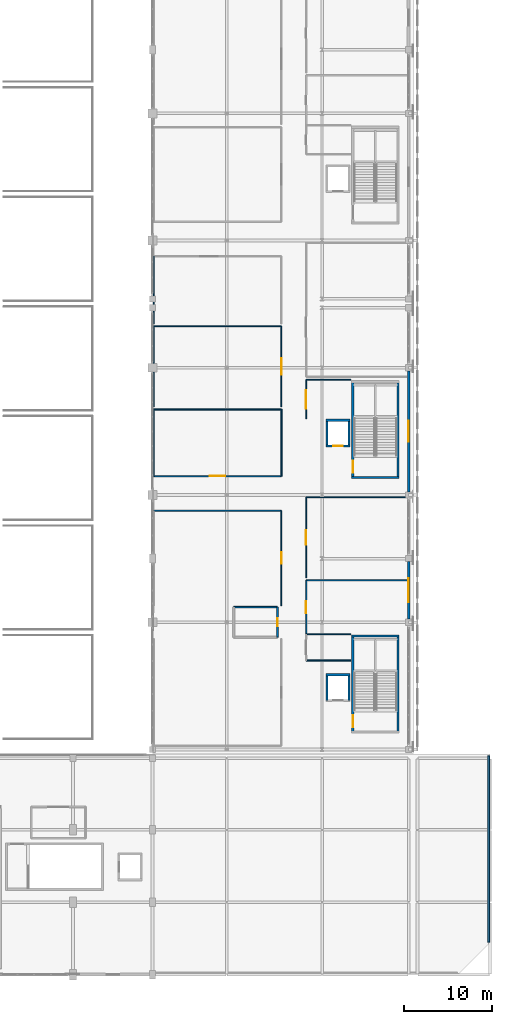
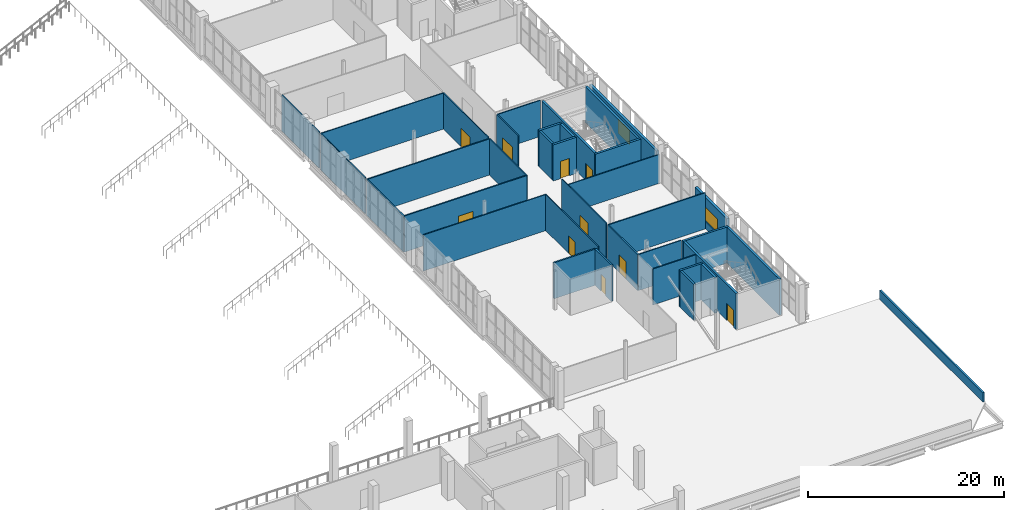
# One storey, part 70 of 104: 36 walls, 10 doors, 2 windows, 12 openings.
"""IFC4 building model written with IfcOpenShell, lengths in metres."""

from ifc_helpers import new_model, si_unit, direction, frame, frame_2d, origin, place, context, subcontext, project, spatial, rectangle, extrude, material, layer, layer_set, type_object, element, fill, save


model = new_model("IFC4")

# Units and contexts
model_context = context("Model", 3, precision=1e-05, world=origin(), true_north=direction((0.0, 1.0)))
body_context = subcontext(model_context, "Body", "Model", "MODEL_VIEW")
ifc_project = project(units=[si_unit("LENGTHUNIT", "METRE"), si_unit("AREAUNIT", "SQUARE_METRE"), si_unit("VOLUMEUNIT", "CUBIC_METRE"), si_unit("PLANEANGLEUNIT", "RADIAN"), si_unit("MASSUNIT", "GRAM", prefix="KILO")], contexts=[model_context])

# Site, building, storey
site_placement = place(None, origin())
site = spatial("IfcSite", under=ifc_project, at=site_placement, CompositionType="ELEMENT")
building_placement = place(site_placement, origin())
building = spatial("IfcBuilding", under=site, at=building_placement, Name="Koshinbarg Plaza Stadium", CompositionType="ELEMENT")
storey_placement = place(building_placement, frame((0.0, 0.0, 19.800048828125)))
storey = spatial("IfcBuildingStorey", under=building, at=storey_placement, Name="L04", CompositionType="ELEMENT", Elevation=19.800048828125)

# Wall
ifc_material_1 = material(Name="Concrete C40/50", Category="concrete")
ifc_layer_1 = layer(ifc_material_1, 0.25)
ifc_layer_set_1 = layer_set([ifc_layer_1], Name="Concrete C40/50")
wall_type_1 = type_object("IfcWallType", Name="WL-CORE-250", PredefinedType="SHEAR", material=ifc_layer_set_1)
wall_1_placement = place(storey_placement, frame((217.320068359375, 38.324951171875, 0.0), z_axis=(0.0, 0.0, 1.0), x_axis=(-1.0, 0.0, 0.0)))
element("IfcWall", 1, at=wall_1_placement, inside=storey, type_object=wall_type_1, Name="L04 core stair shear wall C07-far IWL-L04-0179", PredefinedType="SHEAR", context=body_context, shape_type="SweptSolid", body=[
    extrude(rectangle(XDim=5.3701171875, YDim=0.25, at=frame_2d((2.68505859375, 0.0))), origin(), (0.0, 0.0, 1.0), 4.5),
])

# Wall, opening, door
wall_2_placement = place(storey_placement, frame((212.074951171875, 27.47509765625, 0.0), z_axis=(0.0, 0.0, 1.0), x_axis=(0.0, 1.0, 0.0)))
wall_2 = element("IfcWall", 2, at=wall_2_placement, inside=storey, type_object=wall_type_1, Name="L04 core stair shear wall C07-left IWL-L04-0180", PredefinedType="SHEAR", context=body_context, shape_type="SweptSolid", body=[
    extrude(rectangle(XDim=10.849853515625, YDim=0.25, at=frame_2d((5.4248046875, 0.0))), origin(), (0.0, 0.0, 1.0), 4.5),
])
opening_1_placement = place(wall_2_placement, frame((0.52001953125, 0.0, 0.0)))
opening_1 = element("IfcOpeningElement", 3, at=opening_1_placement, cuts=wall_2, Name="Opening D-0107", PredefinedType="OPENING", context=body_context, shape_type="SweptSolid", body=[
    extrude(rectangle(XDim=1.39990234375, YDim=2.14990234375, at=frame_2d((0.699951171875, 1.074951171875))), frame((0.0, 0.135009765625, 0.0), z_axis=(0.0, -1.0, 0.0), x_axis=(1.0, 0.0, 0.0)), (0.0, 0.0, 1.0), 0.27001953125),
])
ifc_material_2 = material(Name="Painted galvanized steel fire door", Category="steel")
door_type_1 = type_object("IfcDoorType", Name="DR-STAIR-1400", OperationType="NOTDEFINED", PredefinedType="DOOR", material=ifc_material_2)
door_1_placement = place(opening_1_placement, frame((1.39990234375, 0.0, 0.0), z_axis=(0.0, 0.0, 1.0), x_axis=(-1.0, 0.0, 0.0)))
door_1 = element("IfcDoor", 4, at=door_1_placement, inside=storey, type_object=door_type_1, Name="L04 exit stair door C07", OperationType="SINGLE_SWING_RIGHT", OverallHeight=2.14990234375, OverallWidth=1.39990234375, PredefinedType="DOOR", context=body_context, shape_type="SweptSolid", body=[
    extrude(rectangle(XDim=1.39990234375, YDim=2.14990234375, at=frame_2d((0.699951171875, 1.074951171875))), frame((0.0, 0.02490234375, 0.0), z_axis=(0.0, -1.0, 0.0), x_axis=(1.0, 0.0, 0.0)), (0.0, 0.0, 1.0), 0.050048828125),
])
fill(opening_1, door_1)

# Walls
wall_3_placement = place(storey_placement, frame((217.195068359375, 27.47509765625, 0.0), z_axis=(0.0, 0.0, 1.0), x_axis=(0.0, 1.0, 0.0)))
element("IfcWall", 5, at=wall_3_placement, inside=storey, type_object=wall_type_1, Name="L04 core stair shear wall C07-right IWL-L04-0181", PredefinedType="SHEAR", context=body_context, shape_type="SweptSolid", body=[
    extrude(rectangle(XDim=10.849853515625, YDim=0.25, at=frame_2d((5.4248046875, 0.0))), origin(), (0.0, 0.0, 1.0), 4.5),
])
wall_4_placement = place(storey_placement, frame((211.949951171875, 56.27490234375, 0.0), z_axis=(0.0, 0.0, 1.0), x_axis=(1.0, 0.0, 0.0)))
element("IfcWall", 6, at=wall_4_placement, inside=storey, type_object=wall_type_1, Name="L04 core stair shear wall C08-near IWL-L04-0202", PredefinedType="SHEAR", context=body_context, shape_type="SweptSolid", body=[
    extrude(rectangle(XDim=5.3701171875, YDim=0.25, at=frame_2d((2.68505859375, 0.0))), origin(), (0.0, 0.0, 1.0), 4.5),
])

# Wall, opening, door
wall_5_placement = place(storey_placement, frame((212.074951171875, 56.27490234375, 0.0), z_axis=(0.0, 0.0, 1.0), x_axis=(0.0, 1.0, 0.0)))
wall_5 = element("IfcWall", 7, at=wall_5_placement, inside=storey, type_object=wall_type_1, Name="L04 core stair shear wall C08-left IWL-L04-0204", PredefinedType="SHEAR", context=body_context, shape_type="SweptSolid", body=[
    extrude(rectangle(XDim=10.85009765625, YDim=0.25, at=frame_2d((5.425048828125, 0.0))), origin(), (0.0, 0.0, 1.0), 4.5),
])
opening_2_placement = place(wall_5_placement, frame((0.52001953125, 0.0, 0.0)))
opening_2 = element("IfcOpeningElement", 8, at=opening_2_placement, cuts=wall_5, Name="Opening D-0113", PredefinedType="OPENING", context=body_context, shape_type="SweptSolid", body=[
    extrude(rectangle(XDim=1.39990234375, YDim=2.14990234375, at=frame_2d((0.699951171875, 1.074951171875))), frame((0.0, 0.135009765625, 0.0), z_axis=(0.0, -1.0, 0.0), x_axis=(1.0, 0.0, 0.0)), (0.0, 0.0, 1.0), 0.27001953125),
])
door_2_placement = place(opening_2_placement, frame((1.39990234375, 0.0, 0.0), z_axis=(0.0, 0.0, 1.0), x_axis=(-1.0, 0.0, 0.0)))
door_2 = element("IfcDoor", 9, at=door_2_placement, inside=storey, type_object=door_type_1, Name="L04 exit stair door C08", OperationType="SINGLE_SWING_LEFT", OverallHeight=2.14990234375, OverallWidth=1.39990234375, PredefinedType="DOOR", context=body_context, shape_type="SweptSolid", body=[
    extrude(rectangle(XDim=1.39990234375, YDim=2.14990234375, at=frame_2d((0.699951171875, 1.074951171875))), frame((0.0, 0.02490234375, 0.0), z_axis=(0.0, -1.0, 0.0), x_axis=(1.0, 0.0, 0.0)), (0.0, 0.0, 1.0), 0.050048828125),
])
fill(opening_2, door_2)

# Walls
wall_6_placement = place(storey_placement, frame((217.195068359375, 56.27490234375, 0.0), z_axis=(0.0, 0.0, 1.0), x_axis=(0.0, 1.0, 0.0)))
element("IfcWall", 10, at=wall_6_placement, inside=storey, type_object=wall_type_1, Name="L04 core stair shear wall C08-right IWL-L04-0205", PredefinedType="SHEAR", context=body_context, shape_type="SweptSolid", body=[
    extrude(rectangle(XDim=10.85009765625, YDim=0.25, at=frame_2d((5.425048828125, 0.0))), origin(), (0.0, 0.0, 1.0), 4.5),
])
wall_7_placement = place(storey_placement, frame((211.77490234375, 33.949951171875, 0.0), z_axis=(0.0, 0.0, 1.0), x_axis=(-1.0, 0.0, 0.0)))
element("IfcWall", 11, at=wall_7_placement, inside=storey, type_object=wall_type_1, Name="L04 lift shaft shear wall LP03-N IWL-L04-0879", PredefinedType="SHEAR", context=body_context, shape_type="SweptSolid", body=[
    extrude(rectangle(XDim=2.75, YDim=0.25, at=frame_2d((1.375, 0.0))), origin(), (0.0, 0.0, 1.0), 4.5),
])
for number, where, z_axis, x_axis, name in (
    (12, (209.14990234375, 33.949951171875, 0.0), (0.0, 0.0, 1.0), (0.0, -1.0, 0.0), "L04 lift shaft shear wall LP03-W IWL-L04-0880"),
    (13, (211.64990234375, 31.050048828125, 0.0), (0.0, 0.0, 1.0), (0.0, 1.0, 0.0), "L04 lift shaft shear wall LP03-E IWL-L04-0881"),
):
    element("IfcWall", number, at=place(storey_placement, frame(where, z_axis=z_axis, x_axis=x_axis)), inside=storey, type_object=wall_type_1, Name=name, PredefinedType="SHEAR", context=body_context, shape_type="SweptSolid", body=[
        extrude(rectangle(XDim=2.89990234375, YDim=0.25, at=frame_2d((1.449951171875, 0.0))), origin(), (0.0, 0.0, 1.0), 4.5),
    ])

# Wall, opening, door
wall_8_placement = place(storey_placement, frame((209.02490234375, 59.85009765625, 0.0), z_axis=(0.0, 0.0, 1.0), x_axis=(1.0, 0.0, 0.0)))
wall_8 = element("IfcWall", 14, at=wall_8_placement, inside=storey, type_object=wall_type_1, Name="L04 lift shaft shear wall LP04-S IWL-L04-0902", PredefinedType="SHEAR", context=body_context, shape_type="SweptSolid", body=[
    extrude(rectangle(XDim=2.75, YDim=0.25, at=frame_2d((1.375, 0.0))), origin(), (0.0, 0.0, 1.0), 4.5),
])
opening_3_placement = place(wall_8_placement, frame((0.85009765625, 0.0, 0.0)))
opening_3 = element("IfcOpeningElement", 15, at=opening_3_placement, cuts=wall_8, Name="Opening D-0295", PredefinedType="OPENING", context=body_context, shape_type="SweptSolid", body=[
    extrude(rectangle(XDim=1.050048828125, YDim=2.14990234375, at=frame_2d((0.52490234375, 1.074951171875))), frame((0.0, 0.135009765625, 0.0), z_axis=(0.0, -1.0, 0.0), x_axis=(1.0, 0.0, 0.0)), (0.0, 0.0, 1.0), 0.27001953125),
])
ifc_material_3 = material(Name="Brushed stainless steel sliding lift landing door", Category="steel")
door_type_2 = type_object("IfcDoorType", Name="DR-LIFT-1050", OperationType="NOTDEFINED", PredefinedType="DOOR", material=ifc_material_3)
door_3_placement = place(opening_3_placement, origin())
door_3 = element("IfcDoor", 16, at=door_3_placement, inside=storey, type_object=door_type_2, Name="L04 lift landing door LP04", OperationType="SLIDING_TO_LEFT", OverallHeight=2.14990234375, OverallWidth=1.050048828125, PredefinedType="DOOR", context=body_context, shape_type="SweptSolid", body=[
    extrude(rectangle(XDim=1.050048828125, YDim=2.14990234375, at=frame_2d((0.52490234375, 1.074951171875))), frame((0.0, 0.02490234375, 0.0), z_axis=(0.0, -1.0, 0.0), x_axis=(1.0, 0.0, 0.0)), (0.0, 0.0, 1.0), 0.050048828125),
])
fill(opening_3, door_3)

# Walls
wall_9_placement = place(storey_placement, frame((211.77490234375, 62.75, 0.0), z_axis=(0.0, 0.0, 1.0), x_axis=(-1.0, 0.0, 0.0)))
element("IfcWall", 17, at=wall_9_placement, inside=storey, type_object=wall_type_1, Name="L04 lift shaft shear wall LP04-N IWL-L04-0903", PredefinedType="SHEAR", context=body_context, shape_type="SweptSolid", body=[
    extrude(rectangle(XDim=2.75, YDim=0.25, at=frame_2d((1.375, 0.0))), origin(), (0.0, 0.0, 1.0), 4.5),
])
for number, where, z_axis, x_axis, name in (
    (18, (209.14990234375, 62.75, 0.0), (0.0, 0.0, 1.0), (0.0, -1.0, 0.0), "L04 lift shaft shear wall LP04-W IWL-L04-0904"),
    (19, (211.64990234375, 59.85009765625, 0.0), (0.0, 0.0, 1.0), (0.0, 1.0, 0.0), "L04 lift shaft shear wall LP04-E IWL-L04-0905"),
):
    element("IfcWall", number, at=place(storey_placement, frame(where, z_axis=z_axis, x_axis=x_axis)), inside=storey, type_object=wall_type_1, Name=name, PredefinedType="SHEAR", context=body_context, shape_type="SweptSolid", body=[
        extrude(rectangle(XDim=2.89990234375, YDim=0.25, at=frame_2d((1.449951171875, 0.0))), origin(), (0.0, 0.0, 1.0), 4.5),
    ])

# Wall, opening, window
ifc_material_4 = material(Name="Off-white mineral plaster insulated wall", Category="masonry")
ifc_layer_2 = layer(ifc_material_4, 0.300048828125)
ifc_layer_set_2 = layer_set([ifc_layer_2], Name="Off-white mineral plaster insulated wall")
wall_type_2 = type_object("IfcWallType", Name="WL-EXT-300", PredefinedType="SOLIDWALL", material=ifc_layer_set_2)
wall_10_placement = place(storey_placement, frame((218.39990234375, 68.35498046875, 0.0), z_axis=(0.0, 0.0, 1.0), x_axis=(0.0, -1.0, 0.0)))
wall_10 = element("IfcWall", 20, at=wall_10_placement, inside=storey, type_object=wall_type_2, Name="L04 exterior envelope wall EWL-L04-0213", PredefinedType="SOLIDWALL", context=body_context, shape_type="SweptSolid", body=[
    extrude(rectangle(XDim=13.7099609375, YDim=0.300048828125, at=frame_2d((6.85498046875, 0.0))), origin(), (0.0, 0.0, 1.0), 3.579833984375),
])
opening_4_placement = place(wall_10_placement, frame((5.655029296875, 0.0, 0.89990234375)))
opening_4 = element("IfcOpeningElement", 21, at=opening_4_placement, cuts=wall_10, Name="Opening WN11", PredefinedType="OPENING", context=body_context, shape_type="SweptSolid", body=[
    extrude(rectangle(XDim=2.39990234375, YDim=1.800048828125, at=frame_2d((1.199951171875, 0.89990234375))), frame((0.0, 0.159912109375, 0.0), z_axis=(0.0, -1.0, 0.0), x_axis=(1.0, 0.0, 0.0)), (0.0, 0.0, 1.0), 0.320068359375),
])
ifc_material_5 = material(Name="Solar-control double glazing in thermally broken aluminium frame", Category="aluminium")
window_type_1 = type_object("IfcWindowType", Name="WN-FAC-11", PartitioningType="DOUBLE_PANEL_VERTICAL", PredefinedType="WINDOW", material=ifc_material_5)
window_1_placement = place(opening_4_placement, origin())
window_1 = element("IfcWindow", 22, at=window_1_placement, inside=storey, type_object=window_type_1, Name="L04 facade window 0145", OverallHeight=1.800048828125, OverallWidth=2.39990234375, PartitioningType="SINGLE_PANEL", PredefinedType="WINDOW", context=body_context, shape_type="SweptSolid", body=[
    extrude(rectangle(XDim=2.39990234375, YDim=1.800048828125, at=frame_2d((1.199951171875, 0.89990234375))), frame((0.0, 0.030029296875, 0.0), z_axis=(0.0, -1.0, 0.0), x_axis=(1.0, 0.0, 0.0)), (0.0, 0.0, 1.0), 0.06005859375),
])
fill(opening_4, window_1)

ifc_material_6 = material(Name="Ultramarine-blue pigmented mineral plaster facade wall", Category="masonry")
ifc_layer_3 = layer(ifc_material_6, 0.320068359375)
ifc_layer_set_3 = layer_set([ifc_layer_3], Name="Ultramarine-blue pigmented mineral plaster facade wall")
wall_type_3 = type_object("IfcWallType", Name="WL-EXT-320", PredefinedType="SOLIDWALL", material=ifc_layer_set_3)
wall_11_placement = place(storey_placement, frame((218.39990234375, 46.7548828125, 0.0), z_axis=(0.0, 0.0, 1.0), x_axis=(0.0, -1.0, 0.0)))
wall_11 = element("IfcWall", 23, at=wall_11_placement, inside=storey, type_object=wall_type_3, Name="L04 exterior envelope wall EWL-L04-0214", PredefinedType="SOLIDWALL", context=body_context, shape_type="SweptSolid", body=[
    extrude(rectangle(XDim=6.509765625, YDim=0.320068359375, at=frame_2d((3.2548828125, 0.0))), origin(), (0.0, 0.0, 1.0), 3.8798828125),
])
opening_5_placement = place(wall_11_placement, frame((1.905029296875, 0.0, 0.89990234375)))
opening_5 = element("IfcOpeningElement", 24, at=opening_5_placement, cuts=wall_11, Name="Opening WN12", PredefinedType="OPENING", context=body_context, shape_type="SweptSolid", body=[
    extrude(rectangle(XDim=2.699951171875, YDim=1.800048828125, at=frame_2d((1.35009765625, 0.89990234375))), frame((0.0, 0.169921875, 0.0), z_axis=(0.0, -1.0, 0.0), x_axis=(1.0, 0.0, 0.0)), (0.0, 0.0, 1.0), 0.340087890625),
])
window_type_2 = type_object("IfcWindowType", Name="WN-FAC-12", PartitioningType="DOUBLE_PANEL_VERTICAL", PredefinedType="WINDOW", material=ifc_material_5)
window_2_placement = place(opening_5_placement, origin())
window_2 = element("IfcWindow", 25, at=window_2_placement, inside=storey, type_object=window_type_2, Name="L04 facade window 0146", OverallHeight=1.800048828125, OverallWidth=2.699951171875, PartitioningType="SINGLE_PANEL", PredefinedType="WINDOW", context=body_context, shape_type="SweptSolid", body=[
    extrude(rectangle(XDim=2.699951171875, YDim=1.800048828125, at=frame_2d((1.35009765625, 0.89990234375))), frame((0.0, 0.030029296875, 0.0), z_axis=(0.0, -1.0, 0.0), x_axis=(1.0, 0.0, 0.0)), (0.0, 0.0, 1.0), 0.06005859375),
])
fill(opening_5, window_2)

# Wall
ifc_material_7 = material(Name="Precast concrete C40/50", Category="concrete")
ifc_layer_4 = layer(ifc_material_7, 0.199951171875)
ifc_layer_set_4 = layer_set([ifc_layer_4], Name="Precast concrete C40/50")
wall_type_4 = type_object("IfcWallType", Name="WL-PAR-200", PredefinedType="PARAPET", material=ifc_layer_set_4)
wall_12_placement = place(storey_placement, frame((227.449951171875, 24.800048828125, 0.0), z_axis=(0.0, 0.0, 1.0), x_axis=(0.0, -1.0, 0.0)))
element("IfcWall", 26, at=wall_12_placement, inside=storey, type_object=wall_type_4, Name="L04 stepped pavilion roof parapet 044", PredefinedType="PARAPET", context=body_context, shape_type="SweptSolid", body=[
    extrude(rectangle(XDim=21.10009765625, YDim=0.199951171875, at=frame_2d((10.550048828125, 0.0))), origin(), (0.0, 0.0, 1.0), 1.14990234375),
])

# Wall, opening, door
ifc_material_8 = material(Name="Gypsum board metal-stud acoustic partition")
ifc_layer_5 = layer(ifc_material_8, 0.1201171875)
ifc_layer_set_5 = layer_set([ifc_layer_5], Name="Gypsum board metal-stud acoustic partition")
wall_type_5 = type_object("IfcWallType", Name="WL-PART-120", PredefinedType="PARTITIONING", material=ifc_layer_set_5)
wall_13_placement = place(storey_placement, frame((204.0, 41.780029296875, 0.0), z_axis=(0.0, 0.0, 1.0), x_axis=(0.0, 1.0, 0.0)))
wall_13 = element("IfcWall", 27, at=wall_13_placement, inside=storey, type_object=wall_type_5, Name="L04 interior partition L04-65-east IWL-L04-2167", PredefinedType="PARTITIONING", context=body_context, shape_type="SweptSolid", body=[
    extrude(rectangle(XDim=10.739990234375, YDim=0.1201171875, at=frame_2d((5.3701171875, 0.0))), origin(), (0.0, 0.0, 1.0), 4.5),
])
opening_6_placement = place(wall_13_placement, frame((4.719970703125, 0.0, 0.0)))
opening_6 = element("IfcOpeningElement", 28, at=opening_6_placement, cuts=wall_13, Name="Opening D-0748", PredefinedType="OPENING", context=body_context, shape_type="SweptSolid", body=[
    extrude(rectangle(XDim=1.300048828125, YDim=2.199951171875, at=frame_2d((0.64990234375, 1.10009765625))), frame((0.0, 0.070068359375, 0.0), z_axis=(0.0, -1.0, 0.0), x_axis=(1.0, 0.0, 0.0)), (0.0, 0.0, 1.0), 0.14013671875),
])
ifc_material_9 = material(Name="Thermally broken anodised aluminium glazed door", Category="aluminium")
door_type_3 = type_object("IfcDoorType", Name="DR-INT-1300x2200", OperationType="NOTDEFINED", PredefinedType="DOOR", material=ifc_material_9)
door_4_placement = place(opening_6_placement, origin())
door_4 = element("IfcDoor", 29, at=door_4_placement, inside=storey, type_object=door_type_3, Name="L04 Supporters' Terrace Lounge door D-0748", OperationType="SINGLE_SWING_RIGHT", OverallHeight=2.199951171875, OverallWidth=1.300048828125, PredefinedType="DOOR", context=body_context, shape_type="SweptSolid", body=[
    extrude(rectangle(XDim=1.300048828125, YDim=2.199951171875, at=frame_2d((0.64990234375, 1.10009765625))), frame((0.0, 0.02490234375, 0.0), z_axis=(0.0, -1.0, 0.0), x_axis=(1.0, 0.0, 0.0)), (0.0, 0.0, 1.0), 0.050048828125),
])
fill(opening_6, door_4)

# Walls
wall_14_placement = place(storey_placement, frame((204.0, 52.52001953125, 0.0), z_axis=(0.0, 0.0, 1.0), x_axis=(-1.0, 0.0, 0.0)))
element("IfcWall", 30, at=wall_14_placement, inside=storey, type_object=wall_type_5, Name="L04 interior partition L04-65-north IWL-L04-2168", PredefinedType="PARTITIONING", context=body_context, shape_type="SweptSolid", body=[
    extrude(rectangle(XDim=14.47998046875, YDim=0.1201171875, at=frame_2d((7.239990234375, 0.0))), origin(), (0.0, 0.0, 1.0), 4.5),
])
for number, where, z_axis, x_axis, name in (
    (31, (206.800048828125, 35.56298828125, 0.0), (0.0, 0.0, 1.0), (1.0, 0.0, 0.0), "L04 interior partition L04-67-south IWL-L04-2172"),
    (32, (211.8701171875, 38.530029296875, 0.0), (0.0, 0.0, 1.0), (-1.0, 0.0, 0.0), "L04 interior partition L04-67-north IWL-L04-2173"),
):
    element("IfcWall", number, at=place(storey_placement, frame(where, z_axis=z_axis, x_axis=x_axis)), inside=storey, type_object=wall_type_5, Name=name, PredefinedType="PARTITIONING", context=body_context, shape_type="SweptSolid", body=[
        extrude(rectangle(XDim=5.070068359375, YDim=0.1201171875, at=frame_2d((2.53515625, 0.0))), origin(), (0.0, 0.0, 1.0), 4.5),
    ])
wall_15_placement = place(storey_placement, frame((218.2548828125, 54.030029296875, 0.0), z_axis=(0.0, 0.0, 1.0), x_axis=(-1.0, 0.0, 0.0)))
element("IfcWall", 33, at=wall_15_placement, inside=storey, type_object=wall_type_5, Name="L04 interior partition L04-68-north IWL-L04-2175", PredefinedType="PARTITIONING", context=body_context, shape_type="SweptSolid", body=[
    extrude(rectangle(XDim=11.454833984375, YDim=0.1201171875, at=frame_2d((5.7275390625, 0.0))), origin(), (0.0, 0.0, 1.0), 3.579833984375),
])

# Wall, opening, door
wall_16_placement = place(storey_placement, frame((206.800048828125, 54.030029296875, 0.0), z_axis=(0.0, 0.0, 1.0), x_axis=(0.0, -1.0, 0.0)))
wall_16 = element("IfcWall", 34, at=wall_16_placement, inside=storey, type_object=wall_type_5, Name="L04 interior partition L04-68-west IWL-L04-2176", PredefinedType="PARTITIONING", context=body_context, shape_type="SweptSolid", body=[
    extrude(rectangle(XDim=9.08349609375, YDim=0.1201171875, at=frame_2d((4.541748046875, 0.0))), origin(), (0.0, 0.0, 1.0), 4.5),
])
opening_7_placement = place(wall_16_placement, frame((3.701904296875, 0.0, 0.0)))
opening_7 = element("IfcOpeningElement", 35, at=opening_7_placement, cuts=wall_16, Name="Opening D-0751", PredefinedType="OPENING", context=body_context, shape_type="SweptSolid", body=[
    extrude(rectangle(XDim=1.679931640625, YDim=2.25, at=frame_2d((0.83984375, 1.125))), frame((0.0, 0.070068359375, 0.0), z_axis=(0.0, -1.0, 0.0), x_axis=(1.0, 0.0, 0.0)), (0.0, 0.0, 1.0), 0.14013671875),
])
ifc_material_10 = material(Name="Powder-coated aluminium double glazed door", Category="aluminium")
door_type_4 = type_object("IfcDoorType", Name="DR-INT-1680x2250", OperationType="NOTDEFINED", PredefinedType="DOOR", material=ifc_material_10)
door_5_placement = place(opening_7_placement, origin())
door_5 = element("IfcDoor", 36, at=door_5_placement, inside=storey, type_object=door_type_4, Name="L04 Supporters' Viewing Salon door D-0751", OperationType="DOUBLE_DOOR_SINGLE_SWING", OverallHeight=2.25, OverallWidth=1.679931640625, PredefinedType="DOOR", context=body_context, shape_type="SweptSolid", body=[
    extrude(rectangle(XDim=1.679931640625, YDim=2.25, at=frame_2d((0.83984375, 1.125))), frame((0.0, 0.02490234375, 0.0), z_axis=(0.0, -1.0, 0.0), x_axis=(1.0, 0.0, 0.0)), (0.0, 0.0, 1.0), 0.050048828125),
])
fill(opening_7, door_5)

wall_17_placement = place(storey_placement, frame((204.0, 64.280517578125, 0.0), z_axis=(0.0, 0.0, 1.0), x_axis=(0.0, 1.0, 0.0)))
wall_17 = element("IfcWall", 37, at=wall_17_placement, inside=storey, type_object=wall_type_5, Name="L04 interior partition L04-70-east IWL-L04-2181", PredefinedType="PARTITIONING", context=body_context, shape_type="SweptSolid", body=[
    extrude(rectangle(XDim=9.124755859375, YDim=0.1201171875, at=frame_2d((4.5625, 0.0))), origin(), (0.0, 0.0, 1.0), 4.5),
])
opening_8_placement = place(wall_17_placement, frame((3.63232421875, 0.0, 0.0)))
opening_8 = element("IfcOpeningElement", 38, at=opening_8_placement, cuts=wall_17, Name="Opening D-0753", PredefinedType="OPENING", context=body_context, shape_type="SweptSolid", body=[
    extrude(rectangle(XDim=1.860107421875, YDim=2.300048828125, at=frame_2d((0.93017578125, 1.14990234375))), frame((0.0, 0.070068359375, 0.0), z_axis=(0.0, -1.0, 0.0), x_axis=(1.0, 0.0, 0.0)), (0.0, 0.0, 1.0), 0.14013671875),
])
ifc_material_11 = material(Name="Acoustic solid-core walnut veneer fire door")
door_type_5 = type_object("IfcDoorType", Name="DR-INT-1860x2300", OperationType="NOTDEFINED", PredefinedType="DOOR", material=ifc_material_11)
door_6_placement = place(opening_8_placement, origin())
door_6 = element("IfcDoor", 39, at=door_6_placement, inside=storey, type_object=door_type_5, Name="L04 Supporters' Viewing Salon door D-0753", OperationType="DOUBLE_DOOR_SINGLE_SWING", OverallHeight=2.300048828125, OverallWidth=1.860107421875, PredefinedType="DOOR", context=body_context, shape_type="SweptSolid", body=[
    extrude(rectangle(XDim=1.860107421875, YDim=2.300048828125, at=frame_2d((0.93017578125, 1.14990234375))), frame((0.0, 0.02490234375, 0.0), z_axis=(0.0, -1.0, 0.0), x_axis=(1.0, 0.0, 0.0)), (0.0, 0.0, 1.0), 0.050048828125),
])
fill(opening_8, door_6)

# Walls
wall_18_placement = place(storey_placement, frame((204.0, 73.4052734375, 0.0), z_axis=(0.0, 0.0, 1.0), x_axis=(-1.0, 0.0, 0.0)))
element("IfcWall", 40, at=wall_18_placement, inside=storey, type_object=wall_type_5, Name="L04 interior partition L04-70-north IWL-L04-2182", PredefinedType="PARTITIONING", context=body_context, shape_type="SweptSolid", body=[
    extrude(rectangle(XDim=14.47998046875, YDim=0.1201171875, at=frame_2d((7.239990234375, 0.0))), origin(), (0.0, 0.0, 1.0), 4.5),
])
wall_19_placement = place(storey_placement, frame((189.52001953125, 73.4052734375, 0.0), z_axis=(0.0, 0.0, 1.0), x_axis=(0.0, -1.0, 0.0)))
element("IfcWall", 41, at=wall_19_placement, inside=storey, type_object=wall_type_5, Name="L04 interior partition L04-70-west IWL-L04-2183", PredefinedType="PARTITIONING", context=body_context, shape_type="SweptSolid", body=[
    extrude(rectangle(XDim=9.124755859375, YDim=0.1201171875, at=frame_2d((4.5625, 0.0))), origin(), (0.0, 0.0, 1.0), 4.5),
])
wall_20_placement = place(storey_placement, frame((189.52001953125, 81.320068359375, 0.0), z_axis=(0.0, 0.0, 1.0), x_axis=(0.0, -1.0, 0.0)))
element("IfcWall", 42, at=wall_20_placement, inside=storey, type_object=wall_type_5, Name="L04 interior partition L04-71-west IWL-L04-2186", PredefinedType="PARTITIONING", context=body_context, shape_type="SweptSolid", body=[
    extrude(rectangle(XDim=7.614990234375, YDim=0.1201171875, at=frame_2d((3.8076171875, 0.0))), origin(), (0.0, 0.0, 1.0), 4.5),
])
wall_21_placement = place(storey_placement, frame((211.8701171875, 67.330078125, 0.0), z_axis=(0.0, 0.0, 1.0), x_axis=(-1.0, 0.0, 0.0)))
element("IfcWall", 43, at=wall_21_placement, inside=storey, type_object=wall_type_5, Name="L04 interior partition L04-72-north IWL-L04-2187", PredefinedType="PARTITIONING", context=body_context, shape_type="SweptSolid", body=[
    extrude(rectangle(XDim=5.070068359375, YDim=0.1201171875, at=frame_2d((2.53515625, 0.0))), origin(), (0.0, 0.0, 1.0), 4.5),
])

# Wall, opening, door
wall_22_placement = place(storey_placement, frame((206.800048828125, 67.330078125, 0.0), z_axis=(0.0, 0.0, 1.0), x_axis=(0.0, -1.0, 0.0)))
wall_22 = element("IfcWall", 44, at=wall_22_placement, inside=storey, type_object=wall_type_5, Name="L04 interior partition L04-72-west IWL-L04-2188", PredefinedType="PARTITIONING", context=body_context, shape_type="SweptSolid", body=[
    extrude(rectangle(XDim=4.400146484375, YDim=0.1201171875, at=frame_2d((2.2001953125, 0.0))), origin(), (0.0, 0.0, 1.0), 4.5),
])
opening_9_placement = place(wall_22_placement, frame((1.159912109375, 0.0, 0.0)))
opening_9 = element("IfcOpeningElement", 45, at=opening_9_placement, cuts=wall_22, Name="Opening D-0755", PredefinedType="OPENING", context=body_context, shape_type="SweptSolid", body=[
    extrude(rectangle(XDim=2.080078125, YDim=2.35009765625, at=frame_2d((1.0400390625, 1.175048828125))), frame((0.0, 0.070068359375, 0.0), z_axis=(0.0, -1.0, 0.0), x_axis=(1.0, 0.0, 0.0)), (0.0, 0.0, 1.0), 0.14013671875),
])
ifc_material_12 = material(Name="Laminated safety glass aluminium vestibule door", Category="aluminium")
door_type_6 = type_object("IfcDoorType", Name="DR-INT-2080x2350", OperationType="NOTDEFINED", PredefinedType="DOOR", material=ifc_material_12)
door_7_placement = place(opening_9_placement, origin())
door_7 = element("IfcDoor", 46, at=door_7_placement, inside=storey, type_object=door_type_6, Name="L04 Supporters' Viewing Salon door D-0755", OperationType="DOUBLE_DOOR_SINGLE_SWING", OverallHeight=2.35009765625, OverallWidth=2.080078125, PredefinedType="DOOR", context=body_context, shape_type="SweptSolid", body=[
    extrude(rectangle(XDim=2.080078125, YDim=2.35009765625, at=frame_2d((1.0400390625, 1.175048828125))), frame((0.0, 0.02490234375, 0.0), z_axis=(0.0, -1.0, 0.0), x_axis=(1.0, 0.0, 0.0)), (0.0, 0.0, 1.0), 0.050048828125),
])
fill(opening_9, door_7)

# Wall
ifc_material_13 = material(Name="Double-layer gypsum acoustic suite partition")
ifc_layer_6 = layer(ifc_material_13, 0.14990234375)
ifc_layer_set_6 = layer_set([ifc_layer_6], Name="Double-layer gypsum acoustic suite partition")
wall_type_6 = type_object("IfcWallType", Name="WL-PART-150", PredefinedType="PARTITIONING", material=ifc_layer_set_6)
wall_23_placement = place(storey_placement, frame((218.2548828125, 44.646484375, 0.0), z_axis=(0.0, 0.0, 1.0), x_axis=(-1.0, 0.0, 0.0)))
element("IfcWall", 47, at=wall_23_placement, inside=storey, type_object=wall_type_6, Name="L04 interior partition L04-66-north IWL-L04-2170", PredefinedType="PARTITIONING", context=body_context, shape_type="SweptSolid", body=[
    extrude(rectangle(XDim=11.454833984375, YDim=0.14990234375, at=frame_2d((5.7275390625, 0.0))), origin(), (0.0, 0.0, 1.0), 4.5),
])

# Wall, opening, door
wall_24_placement = place(storey_placement, frame((206.800048828125, 44.646484375, 0.0), z_axis=(0.0, 0.0, 1.0), x_axis=(0.0, -1.0, 0.0)))
wall_24 = element("IfcWall", 48, at=wall_24_placement, inside=storey, type_object=wall_type_6, Name="L04 interior partition L04-66-west IWL-L04-2171", PredefinedType="PARTITIONING", context=body_context, shape_type="SweptSolid", body=[
    extrude(rectangle(XDim=6.116455078125, YDim=0.14990234375, at=frame_2d((3.05810546875, 0.0))), origin(), (0.0, 0.0, 1.0), 4.5),
])
opening_10_placement = place(wall_24_placement, frame((2.3583984375, 0.0, 0.0)))
opening_10 = element("IfcOpeningElement", 49, at=opening_10_placement, cuts=wall_24, Name="Opening D-0749", PredefinedType="OPENING", context=body_context, shape_type="SweptSolid", body=[
    extrude(rectangle(XDim=1.39990234375, YDim=2.199951171875, at=frame_2d((0.699951171875, 1.10009765625))), frame((0.0, 0.0849609375, 0.0), z_axis=(0.0, -1.0, 0.0), x_axis=(1.0, 0.0, 0.0)), (0.0, 0.0, 1.0), 0.169921875),
])
ifc_material_14 = material(Name="Stainless-clad solid-core timber double fire door", Category="wood")
door_type_7 = type_object("IfcDoorType", Name="DR-INT-1400x2200", OperationType="NOTDEFINED", PredefinedType="DOOR", material=ifc_material_14)
door_8_placement = place(opening_10_placement, origin())
door_8 = element("IfcDoor", 50, at=door_8_placement, inside=storey, type_object=door_type_7, Name="L04 Acoustic Media Studio door D-0749", OperationType="DOUBLE_DOOR_SINGLE_SWING", OverallHeight=2.199951171875, OverallWidth=1.39990234375, PredefinedType="DOOR", context=body_context, shape_type="SweptSolid", body=[
    extrude(rectangle(XDim=1.39990234375, YDim=2.199951171875, at=frame_2d((0.699951171875, 1.10009765625))), frame((0.0, 0.02490234375, 0.0), z_axis=(0.0, -1.0, 0.0), x_axis=(1.0, 0.0, 0.0)), (0.0, 0.0, 1.0), 0.050048828125),
])
fill(opening_10, door_8)

wall_25_placement = place(storey_placement, frame((189.52001953125, 56.429931640625, 0.0), z_axis=(0.0, 0.0, 1.0), x_axis=(1.0, 0.0, 0.0)))
wall_25 = element("IfcWall", 51, at=wall_25_placement, inside=storey, type_object=wall_type_6, Name="L04 interior partition L04-69-south IWL-L04-2177", PredefinedType="PARTITIONING", context=body_context, shape_type="SweptSolid", body=[
    extrude(rectangle(XDim=14.47998046875, YDim=0.14990234375, at=frame_2d((7.239990234375, 0.0))), origin(), (0.0, 0.0, 1.0), 4.5),
])
opening_11_placement = place(wall_25_placement, frame((6.360107421875, 0.0, 0.0)))
opening_11 = element("IfcOpeningElement", 52, at=opening_11_placement, cuts=wall_25, Name="Opening D-0752", PredefinedType="OPENING", context=body_context, shape_type="SweptSolid", body=[
    extrude(rectangle(XDim=1.760009765625, YDim=2.25, at=frame_2d((0.8798828125, 1.125))), frame((0.0, 0.0849609375, 0.0), z_axis=(0.0, -1.0, 0.0), x_axis=(1.0, 0.0, 0.0)), (0.0, 0.0, 1.0), 0.169921875),
])
ifc_material_15 = material(Name="Solid-core oak veneer double swing door")
door_type_8 = type_object("IfcDoorType", Name="DR-INT-1760x2250", OperationType="NOTDEFINED", PredefinedType="DOOR", material=ifc_material_15)
door_9_placement = place(opening_11_placement, origin())
door_9 = element("IfcDoor", 53, at=door_9_placement, inside=storey, type_object=door_type_8, Name="L04 Acoustic Media Studio door D-0752", OperationType="DOUBLE_DOOR_SINGLE_SWING", OverallHeight=2.25, OverallWidth=1.760009765625, PredefinedType="DOOR", context=body_context, shape_type="SweptSolid", body=[
    extrude(rectangle(XDim=1.760009765625, YDim=2.25, at=frame_2d((0.8798828125, 1.125))), frame((0.0, 0.02490234375, 0.0), z_axis=(0.0, -1.0, 0.0), x_axis=(1.0, 0.0, 0.0)), (0.0, 0.0, 1.0), 0.050048828125),
])
fill(opening_11, door_9)

# Walls
wall_26_placement = place(storey_placement, frame((204.0, 56.429931640625, 0.0), z_axis=(0.0, 0.0, 1.0), x_axis=(0.0, 1.0, 0.0)))
element("IfcWall", 54, at=wall_26_placement, inside=storey, type_object=wall_type_6, Name="L04 interior partition L04-69-east IWL-L04-2178", PredefinedType="PARTITIONING", context=body_context, shape_type="SweptSolid", body=[
    extrude(rectangle(XDim=7.550537109375, YDim=0.14990234375, at=frame_2d((3.775390625, 0.0))), origin(), (0.0, 0.0, 1.0), 4.5),
])
wall_27_placement = place(storey_placement, frame((204.0, 63.98046875, 0.0), z_axis=(0.0, 0.0, 1.0), x_axis=(-1.0, 0.0, 0.0)))
element("IfcWall", 55, at=wall_27_placement, inside=storey, type_object=wall_type_6, Name="L04 interior partition L04-69-north IWL-L04-2179", PredefinedType="PARTITIONING", context=body_context, shape_type="SweptSolid", body=[
    extrude(rectangle(XDim=14.47998046875, YDim=0.14990234375, at=frame_2d((7.239990234375, 0.0))), origin(), (0.0, 0.0, 1.0), 4.5),
])
wall_28_placement = place(storey_placement, frame((189.52001953125, 63.98046875, 0.0), z_axis=(0.0, 0.0, 1.0), x_axis=(0.0, -1.0, 0.0)))
element("IfcWall", 56, at=wall_28_placement, inside=storey, type_object=wall_type_6, Name="L04 interior partition L04-69-west IWL-L04-2180", PredefinedType="PARTITIONING", context=body_context, shape_type="SweptSolid", body=[
    extrude(rectangle(XDim=7.550537109375, YDim=0.14990234375, at=frame_2d((3.775390625, 0.0))), origin(), (0.0, 0.0, 1.0), 4.5),
])

# Wall, opening, door
ifc_material_16 = material(Name="Moisture-resistant tiled sanitary partition")
ifc_layer_7 = layer(ifc_material_16, 0.179931640625)
ifc_layer_set_7 = layer_set([ifc_layer_7], Name="Moisture-resistant tiled sanitary partition")
wall_type_7 = type_object("IfcWallType", Name="WL-PART-180", PredefinedType="PARTITIONING", material=ifc_layer_set_7)
wall_29_placement = place(storey_placement, frame((203.550048828125, 38.199951171875, 0.0), z_axis=(0.0, 0.0, 1.0), x_axis=(0.0, 1.0, 0.0)))
wall_29 = element("IfcWall", 57, at=wall_29_placement, inside=storey, type_object=wall_type_7, Name="L04 interior partition L04-34-east IWL-L04-2089", PredefinedType="PARTITIONING", context=body_context, shape_type="SweptSolid", body=[
    extrude(rectangle(XDim=3.400146484375, YDim=0.179931640625, at=frame_2d((1.7001953125, 0.0))), origin(), (0.0, 0.0, 1.0), 4.5),
])
opening_12_placement = place(wall_29_placement, frame((1.239990234375, 0.0, 0.0)))
opening_12 = element("IfcOpeningElement", 58, at=opening_12_placement, cuts=wall_29, Name="Opening D-0718", PredefinedType="OPENING", context=body_context, shape_type="SweptSolid", body=[
    extrude(rectangle(XDim=0.919921875, YDim=2.10009765625, at=frame_2d((0.4599609375, 1.050048828125))), frame((0.0, 0.099853515625, 0.0), z_axis=(0.0, -1.0, 0.0), x_axis=(1.0, 0.0, 0.0)), (0.0, 0.0, 1.0), 0.199951171875),
])
ifc_material_17 = material(Name="Solid-core oak veneer acoustic door")
door_type_9 = type_object("IfcDoorType", Name="DR-INT-0920x2100", OperationType="NOTDEFINED", PredefinedType="DOOR", material=ifc_material_17)
door_10_placement = place(opening_12_placement, origin())
door_10 = element("IfcDoor", 59, at=door_10_placement, inside=storey, type_object=door_type_9, Name="L04 Public Restroom 2 door D-0718", OperationType="SINGLE_SWING_RIGHT", OverallHeight=2.10009765625, OverallWidth=0.919921875, PredefinedType="DOOR", context=body_context, shape_type="SweptSolid", body=[
    extrude(rectangle(XDim=0.919921875, YDim=2.10009765625, at=frame_2d((0.4599609375, 1.050048828125))), frame((0.0, 0.02490234375, 0.0), z_axis=(0.0, -1.0, 0.0), x_axis=(1.0, 0.0, 0.0)), (0.0, 0.0, 1.0), 0.050048828125),
])
fill(opening_12, door_10)

# Wall
wall_30_placement = place(storey_placement, frame((203.550048828125, 41.60009765625, 0.0), z_axis=(0.0, 0.0, 1.0), x_axis=(-1.0, 0.0, 0.0)))
element("IfcWall", 60, at=wall_30_placement, inside=storey, type_object=wall_type_7, Name="L04 interior partition L04-34-north IWL-L04-2090", PredefinedType="PARTITIONING", context=body_context, shape_type="SweptSolid", body=[
    extrude(rectangle(XDim=4.949951171875, YDim=0.179931640625, at=frame_2d((2.47509765625, 0.0))), origin(), (0.0, 0.0, 1.0), 4.5),
])

save(model, "model.ifc")
